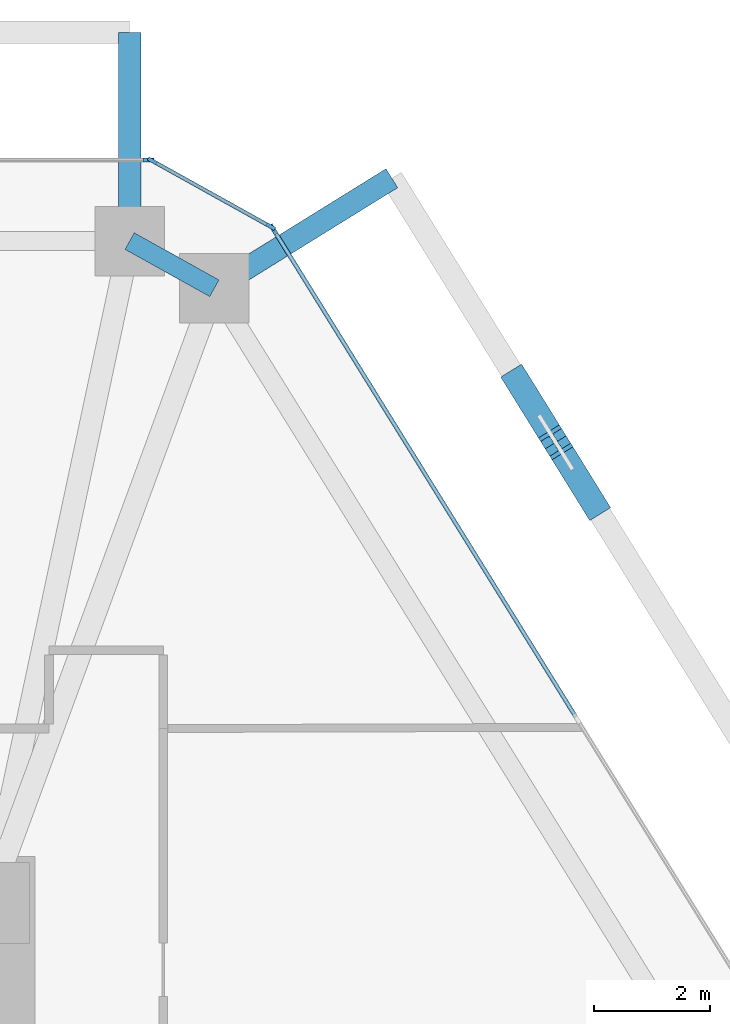
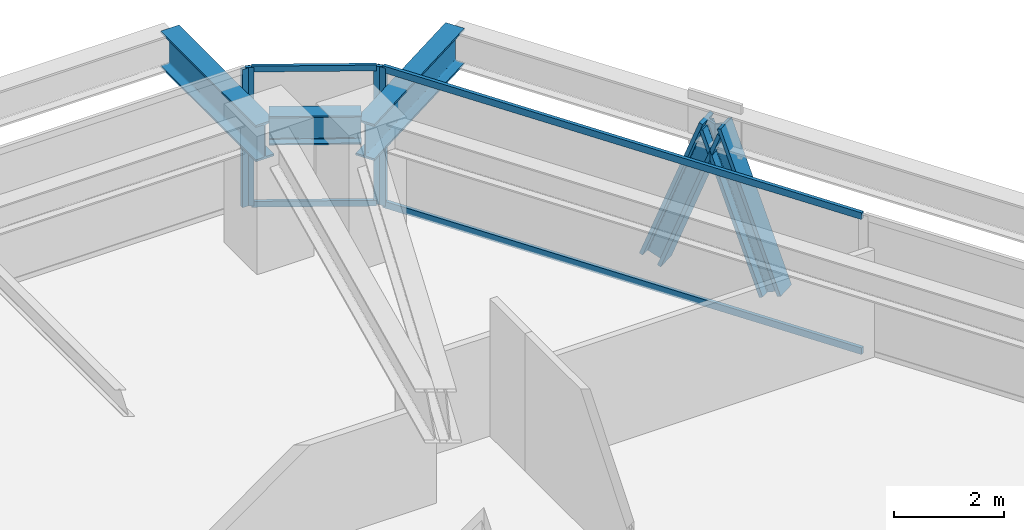
# One storey, part 8 of 15: 10 members, 3 beams, 3 elements without a shape of their own.
"""IFC4 building model written with IfcOpenShell, lengths in metres."""

from ifc_helpers import new_model, si_unit, direction, frame, origin, origin_2d, place, context, subcontext, project, spatial, rectangle, i_section, extrude, source, transform, mapped, material, layer, layer_set, material_profile, profile_set, type_object, type_shapes, element, aggregate, save


model = new_model("IFC4")

# Units and contexts
model_context = context("Model", 3, precision=1e-05, world=origin(), true_north=direction((0.0, 1.0)))
body_context = subcontext(model_context, "Body", "Model", "MODEL_VIEW")
ifc_project = project(units=[si_unit("LENGTHUNIT", "METRE"), si_unit("AREAUNIT", "SQUARE_METRE"), si_unit("VOLUMEUNIT", "CUBIC_METRE"), si_unit("PLANEANGLEUNIT", "RADIAN"), si_unit("MASSUNIT", "GRAM", prefix="KILO")], contexts=[model_context])

# Site, building, storey
site_placement = place(None, origin())
site = spatial("IfcSite", under=ifc_project, at=site_placement, CompositionType="ELEMENT")
building_placement = place(site_placement, origin())
building = spatial("IfcBuilding", under=site, at=building_placement, Name="Durnholm Broadcast Tower", CompositionType="ELEMENT")
storey_placement = place(building_placement, frame((0.0, 0.0, 104.10009765625)))
storey = spatial("IfcBuildingStorey", under=building, at=storey_placement, Name="L27", CompositionType="ELEMENT", Elevation=104.10009765625)

# Beams
ifc_material_1 = material(Name="Steel ASTM A992 Grade 50", Category="steel")
ifc_material_profile_1 = material_profile(ifc_material_1, i_section(OverallWidth=0.385009765625, OverallDepth=0.802978515625, WebThickness=0.023681640625, FlangeThickness=0.0419921875, FilletRadius=0.032958984375, at=origin_2d()), Name="W30X261")
ifc_profile_set_1 = profile_set([ifc_material_profile_1], Name="Steel ASTM A992 Grade 50")
beam_type_1 = type_object("IfcBeamType", Name="BM-EXO-TIE", PredefinedType="USERDEFINED", material=ifc_profile_set_1)
shared_shape_1 = source(origin(), body_context, "Body", "SweptSolid", [
    extrude(i_section(OverallWidth=0.385009765625, OverallDepth=0.802978515625, WebThickness=0.023681640625, FlangeThickness=0.0419921875, FilletRadius=0.032958984375, at=origin_2d()), origin(), (0.0, 0.0, 1.0), 3.4560546875),
])
beam_1_placement = place(storey_placement, frame((12.22998046875, 19.35888671875, 2.30859375), z_axis=(0.0, 1.0, 0.0), x_axis=(-1.0, 0.0, 0.0)))
element("IfcBeam", 1, at=beam_1_placement, inside=storey, type_object=beam_type_1, Name="L27 exoskeleton stand-off tie bracket F4.1", ObjectType="GIRDER", PredefinedType="USERDEFINED", context=body_context, shape_type="MappedRepresentation", body=[
    mapped(shared_shape_1, transform((0.0, 0.0, 0.0), x_axis=(1.0, 0.0, 0.0), y_axis=(0.0, 1.0, 0.0), z_axis=(0.0, 0.0, 1.0), scale=1.0)),
])
shared_shape_2 = source(origin(), body_context, "Body", "SweptSolid", [
    extrude(i_section(OverallWidth=0.385009765625, OverallDepth=0.802978515625, WebThickness=0.023681640625, FlangeThickness=0.0419921875, FilletRadius=0.032958984375, at=origin_2d()), origin(), (0.0, 0.0, 1.0), 3.455810546875),
])
type_shapes(beam_type_1, [shared_shape_1, shared_shape_2])
beam_2_placement = place(storey_placement, frame((13.814697265625, 18.477294921875, 2.30859375), z_axis=(0.849807128357, 0.527093772107, 0.0), x_axis=(-0.527093772107, 0.849807128357, 0.0)))
element("IfcBeam", 2, at=beam_2_placement, inside=storey, type_object=beam_type_1, Name="L27 exoskeleton stand-off tie bracket F3.2", ObjectType="GIRDER", PredefinedType="USERDEFINED", context=body_context, shape_type="MappedRepresentation", body=[
    mapped(shared_shape_2, transform((0.0, 0.0, 0.0), x_axis=(1.0, 0.0, 0.0), y_axis=(0.0, 1.0, 0.0), z_axis=(0.0, 0.0, 1.0), scale=1.0)),
])
ifc_material_profile_2 = material_profile(ifc_material_1, i_section(OverallWidth=0.3291015625, OverallDepth=0.635009765625, WebThickness=0.017822265625, FlangeThickness=0.031005859375, FilletRadius=0.02783203125, at=origin_2d()), Name="W24X162")
ifc_profile_set_2 = profile_set([ifc_material_profile_2], Name="Steel ASTM A992 Grade 50")
beam_type_2 = type_object("IfcBeamType", Name="STL-SP-W24X162", PredefinedType="SPANDREL", material=ifc_profile_set_2)
shared_shape_3 = source(origin(), body_context, "Body", "SweptSolid", [
    extrude(i_section(OverallWidth=0.3291015625, OverallDepth=0.635009765625, WebThickness=0.017822265625, FlangeThickness=0.031005859375, FilletRadius=0.02783203125, at=origin_2d()), origin(), (0.0, 0.0, 1.0), 1.67333984375),
])
type_shapes(beam_type_2, [shared_shape_3])
beam_3_placement = place(storey_placement, frame((12.22998046875, 19.215087890625, 2.727294921875), z_axis=(0.873799169188, -0.486286964586, 0.0), x_axis=(0.486286964586, 0.873799169188, 0.0)))
element("IfcBeam", 3, at=beam_3_placement, inside=storey, type_object=beam_type_2, Name="L27 perimeter spandrel girder 06", PredefinedType="SPANDREL", context=body_context, shape_type="MappedRepresentation", body=[
    mapped(shared_shape_3, transform((0.0, 0.0, 0.0), x_axis=(1.0, 0.0, 0.0), y_axis=(0.0, 1.0, 0.0), z_axis=(0.0, 0.0, 1.0), scale=1.0)),
])

# Members
ifc_material_2 = material(Name="Steel ASTM A913 Grade 65", Category="steel")
ifc_material_profile_3 = material_profile(ifc_material_2, i_section(OverallWidth=0.424072265625, OverallDepth=0.47412109375, WebThickness=0.047607421875, FlangeThickness=0.0771484375, FilletRadius=0.030517578125, at=origin_2d()), Name="W14X426")
ifc_profile_set_3 = profile_set([ifc_material_profile_3], Name="Steel ASTM A913 Grade 65")
member_type_1 = type_object("IfcMemberType", Name="STL-DG-W14X426", PredefinedType="BRACE", material=ifc_profile_set_3)
shared_shape_4 = source(origin(), body_context, "Body", "SweptSolid", [
    extrude(i_section(OverallWidth=0.424072265625, OverallDepth=0.47412109375, WebThickness=0.047607421875, FlangeThickness=0.0771484375, FilletRadius=0.030517578125, at=origin_2d()), origin(), (0.0, 0.0, 1.0), 3.523193359375),
])
member_1_placement = place(storey_placement, frame((18.92578125, 16.793212890625, -0.991455078125), z_axis=(0.184669768468, -0.297619758188, 0.936653381006), x_axis=(0.849716575602, 0.52723973783, 0.0)))
element("IfcMember", 4, at=member_1_placement, inside=storey, type_object=member_type_1, Name="L27 stand-off diagrid brace F3.D2.2", PredefinedType="BRACE", context=body_context, shape_type="MappedRepresentation", body=[
    mapped(shared_shape_4, transform((0.0, 0.0, 0.0), x_axis=(1.0, 0.0, 0.0), y_axis=(0.0, 1.0, 0.0), z_axis=(0.0, 0.0, 1.0), scale=1.0)),
])
shared_shape_5 = source(origin(), body_context, "Body", "SweptSolid", [
    extrude(i_section(OverallWidth=0.424072265625, OverallDepth=0.47412109375, WebThickness=0.047607421875, FlangeThickness=0.0771484375, FilletRadius=0.030517578125, at=origin_2d()), origin(), (0.0, 0.0, 1.0), 3.52294921875),
])
type_shapes(member_type_1, [shared_shape_4, shared_shape_5])
member_2_placement = place(storey_placement, frame((20.2265625, 14.6962890625, -0.991455078125), z_axis=(-0.184539706302, 0.297564212865, 0.936696661689), x_axis=(-0.849838868368, -0.527042595823, 0.0)))
element("IfcMember", 5, at=member_2_placement, inside=storey, type_object=member_type_1, Name="L27 stand-off diagrid brace F3.D2.1", PredefinedType="BRACE", context=body_context, shape_type="MappedRepresentation", body=[
    mapped(shared_shape_5, transform((0.0, 0.0, 0.0), x_axis=(1.0, 0.0, 0.0), y_axis=(0.0, 1.0, 0.0), z_axis=(0.0, 0.0, 1.0), scale=1.0)),
])

# Curtain wall, members
ifc_material_3 = material(Name="Aluminium and Solar Control IGU", Category="aluminium")
ifc_layer_1 = layer(ifc_material_3, 0.1650390625)
ifc_layer_set_1 = layer_set([ifc_layer_1], Name="Aluminium and Solar Control IGU")
curtain_wall_type_1 = type_object("IfcCurtainWallType", Name="CW-SYS-5", PredefinedType="NOTDEFINED", material=ifc_layer_set_1)
curtain_wall_1_placement = place(storey_placement, origin())
curtain_wall_1 = element("IfcCurtainWall", 6, at=curtain_wall_1_placement, inside=storey, type_object=curtain_wall_type_1, Name="L27 curtain wall CW-CORNER CW-L27-CRN-05", PredefinedType="NOTDEFINED")
ifc_material_4 = material(Name="Aluminium 6063-T6", Category="aluminium")
ifc_material_profile_4 = material_profile(ifc_material_4, rectangle(XDim=0.06494140625, YDim=0.1650390625, at=origin_2d()), Name="CWM65X165")
ifc_profile_set_4 = profile_set([ifc_material_profile_4], Name="Aluminium 6063-T6")
member_type_2 = type_object("IfcMemberType", Name="CW-SYS-5-MUL", PredefinedType="MULLION", material=ifc_profile_set_4)
shared_shape_6 = source(origin(), body_context, "Body", "SweptSolid", [
    extrude(rectangle(XDim=0.06494140625, YDim=0.1650390625, at=origin_2d()), origin(), (0.0, 0.0, 1.0), 3.059814453125),
])
type_shapes(member_type_2, [shared_shape_6])
member_3_placement = place(storey_placement, frame((12.62158203125, 20.59912109375, 0.0), z_axis=(0.0, 0.0, 1.0), x_axis=(0.486244224192, 0.873822953715, 0.0)))
member_3 = element("IfcMember", 7, at=member_3_placement, type_object=member_type_2, Name="CW-CORNER mullion 1", PredefinedType="MULLION", context=body_context, shape_type="MappedRepresentation", body=[
    mapped(shared_shape_6, transform((0.0, 0.0, 0.0), x_axis=(1.0, 0.0, 0.0), y_axis=(0.0, 1.0, 0.0), z_axis=(0.0, 0.0, 1.0), scale=1.0)),
])
member_4_placement = place(storey_placement, frame((14.662109375, 19.4638671875, 0.0), z_axis=(0.0, 0.0, 1.0), x_axis=(0.486244224192, 0.873822953715, 0.0)))
member_4 = element("IfcMember", 8, at=member_4_placement, type_object=member_type_2, Name="CW-CORNER mullion 2", PredefinedType="MULLION", context=body_context, shape_type="MappedRepresentation", body=[
    mapped(shared_shape_6, transform((0.0, 0.0, 0.0), x_axis=(1.0, 0.0, 0.0), y_axis=(0.0, 1.0, 0.0), z_axis=(0.0, 0.0, 1.0), scale=1.0)),
])

# Curtain wall, member
ifc_layer_2 = layer(ifc_material_3, 0.18994140625)
ifc_layer_set_2 = layer_set([ifc_layer_2], Name="Aluminium and Solar Control IGU")
curtain_wall_type_2 = type_object("IfcCurtainWallType", Name="CW-SYS-3", PredefinedType="NOTDEFINED", material=ifc_layer_set_2)
curtain_wall_2_placement = place(storey_placement, origin())
curtain_wall_2 = element("IfcCurtainWall", 9, at=curtain_wall_2_placement, inside=storey, type_object=curtain_wall_type_2, Name="L27 curtain wall CW-Z12-VIS CW-L27-F04", PredefinedType="NOTDEFINED")
ifc_material_profile_5 = material_profile(ifc_material_4, rectangle(XDim=0.070068359375, YDim=0.18994140625, at=origin_2d()), Name="CWM70X190")
ifc_profile_set_5 = profile_set([ifc_material_profile_5], Name="Aluminium 6063-T6")
member_type_3 = type_object("IfcMemberType", Name="CW-SYS-3-MUL", PredefinedType="MULLION", material=ifc_profile_set_5)
shared_shape_7 = source(origin(), body_context, "Body", "SweptSolid", [
    extrude(rectangle(XDim=0.070068359375, YDim=0.18994140625, at=origin_2d()), origin(), (0.0, 0.0, 1.0), 3.059814453125),
])
type_shapes(member_type_3, [shared_shape_7])
member_5_placement = place(storey_placement, frame((12.55810546875, 20.614990234375, 0.0), z_axis=(0.0, 0.0, 1.0), x_axis=(0.0, 1.0, 0.0)))
member_5 = element("IfcMember", 10, at=member_5_placement, type_object=member_type_3, Name="CW-Z12-VIS mullion 3", PredefinedType="MULLION", context=body_context, shape_type="MappedRepresentation", body=[
    mapped(shared_shape_7, transform((0.0, 0.0, 0.0), x_axis=(1.0, 0.0, 0.0), y_axis=(0.0, 1.0, 0.0), z_axis=(0.0, 0.0, 1.0), scale=1.0)),
])
aggregate(curtain_wall_2, [member_5])

curtain_wall_3_placement = place(storey_placement, origin())
curtain_wall_3 = element("IfcCurtainWall", 11, at=curtain_wall_3_placement, inside=storey, type_object=curtain_wall_type_2, Name="L27 curtain wall CW-Z12-VIS CW-L27-F06", PredefinedType="NOTDEFINED")
member_6_placement = place(storey_placement, frame((14.708740234375, 19.418212890625, 0.0), z_axis=(0.0, 0.0, 1.0), x_axis=(0.849799925229, 0.527105385176, 0.0)))
member_6 = element("IfcMember", 12, at=member_6_placement, type_object=member_type_3, Name="CW-Z12-VIS mullion 1", PredefinedType="MULLION", context=body_context, shape_type="MappedRepresentation", body=[
    mapped(shared_shape_7, transform((0.0, 0.0, 0.0), x_axis=(1.0, 0.0, 0.0), y_axis=(0.0, 1.0, 0.0), z_axis=(0.0, 0.0, 1.0), scale=1.0)),
])

# Member
ifc_material_profile_6 = material_profile(ifc_material_4, rectangle(XDim=0.06494140625, YDim=0.1298828125, at=origin_2d()), Name="CWT65X130")
ifc_profile_set_6 = profile_set([ifc_material_profile_6], Name="Aluminium 6063-T6")
member_type_4 = type_object("IfcMemberType", Name="CW-SYS-5-TRN", PredefinedType="USERDEFINED", material=ifc_profile_set_6)
shared_shape_8 = source(origin(), body_context, "Body", "SweptSolid", [
    extrude(rectangle(XDim=0.06494140625, YDim=0.1298828125, at=origin_2d()), origin(), (0.0, 0.0, 1.0), 2.270263671875),
])
type_shapes(member_type_4, [shared_shape_8])
member_7_placement = place(storey_placement, frame((12.64990234375, 20.58349609375, 0.032470703125), z_axis=(0.873786708897, -0.486309353555, 0.0), x_axis=(0.486309353555, 0.873786708897, 0.0)))
member_7 = element("IfcMember", 13, at=member_7_placement, type_object=member_type_4, Name="CW-CORNER transom 1.1", ObjectType="TRANSOM", PredefinedType="USERDEFINED", context=body_context, shape_type="MappedRepresentation", body=[
    mapped(shared_shape_8, transform((0.0, 0.0, 0.0), x_axis=(1.0, 0.0, 0.0), y_axis=(0.0, 1.0, 0.0), z_axis=(0.0, 0.0, 1.0), scale=1.0)),
])

member_8_placement = place(storey_placement, frame((12.64990234375, 20.58349609375, 3.02734375), z_axis=(0.873786708897, -0.486309353555, 0.0), x_axis=(0.486309353555, 0.873786708897, 0.0)))
member_8 = element("IfcMember", 14, at=member_8_placement, type_object=member_type_4, Name="CW-CORNER transom 1.2", ObjectType="TRANSOM", PredefinedType="USERDEFINED", context=body_context, shape_type="MappedRepresentation", body=[
    mapped(shared_shape_8, transform((0.0, 0.0, 0.0), x_axis=(1.0, 0.0, 0.0), y_axis=(0.0, 1.0, 0.0), z_axis=(0.0, 0.0, 1.0), scale=1.0)),
])

aggregate(curtain_wall_1, [member_3, member_4, member_7, member_8])

ifc_material_profile_7 = material_profile(ifc_material_4, rectangle(XDim=0.070068359375, YDim=0.14990234375, at=origin_2d()), Name="CWT70X150")
ifc_profile_set_7 = profile_set([ifc_material_profile_7], Name="Aluminium 6063-T6")
member_type_5 = type_object("IfcMemberType", Name="CW-SYS-3-TRN", PredefinedType="USERDEFINED", material=ifc_profile_set_7)
shared_shape_9 = source(origin(), body_context, "Body", "SweptSolid", [
    extrude(rectangle(XDim=0.070068359375, YDim=0.14990234375, at=origin_2d()), origin(), (0.0, 0.0, 1.0), 9.858642578125),
])
type_shapes(member_type_5, [shared_shape_9])
member_9_placement = place(storey_placement, frame((14.727294921875, 19.388427734375, 0.034912109375), z_axis=(0.527102081419, -0.849801974441, 0.0), x_axis=(0.849801974441, 0.527102081419, 0.0)))
member_9 = element("IfcMember", 15, at=member_9_placement, type_object=member_type_5, Name="CW-Z12-VIS transom 1.1", ObjectType="TRANSOM", PredefinedType="USERDEFINED", context=body_context, shape_type="MappedRepresentation", body=[
    mapped(shared_shape_9, transform((0.0, 0.0, 0.0), x_axis=(1.0, 0.0, 0.0), y_axis=(0.0, 1.0, 0.0), z_axis=(0.0, 0.0, 1.0), scale=1.0)),
])

member_10_placement = place(storey_placement, frame((14.727294921875, 19.388427734375, 3.02490234375), z_axis=(0.527102081419, -0.849801974441, 0.0), x_axis=(0.849801974441, 0.527102081419, 0.0)))
member_10 = element("IfcMember", 16, at=member_10_placement, type_object=member_type_5, Name="CW-Z12-VIS transom 1.2", ObjectType="TRANSOM", PredefinedType="USERDEFINED", context=body_context, shape_type="MappedRepresentation", body=[
    mapped(shared_shape_9, transform((0.0, 0.0, 0.0), x_axis=(1.0, 0.0, 0.0), y_axis=(0.0, 1.0, 0.0), z_axis=(0.0, 0.0, 1.0), scale=1.0)),
])

aggregate(curtain_wall_3, [member_6, member_9, member_10])

save(model, "model.ifc")
